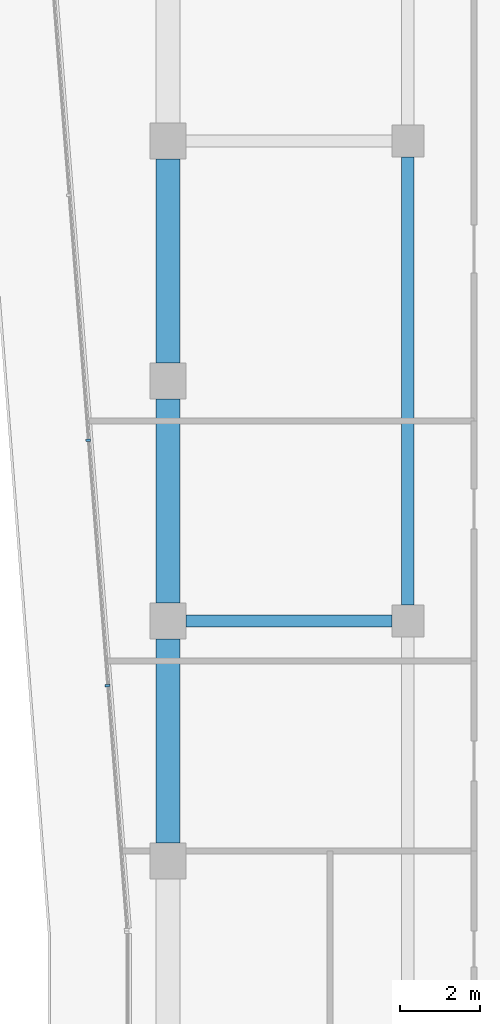
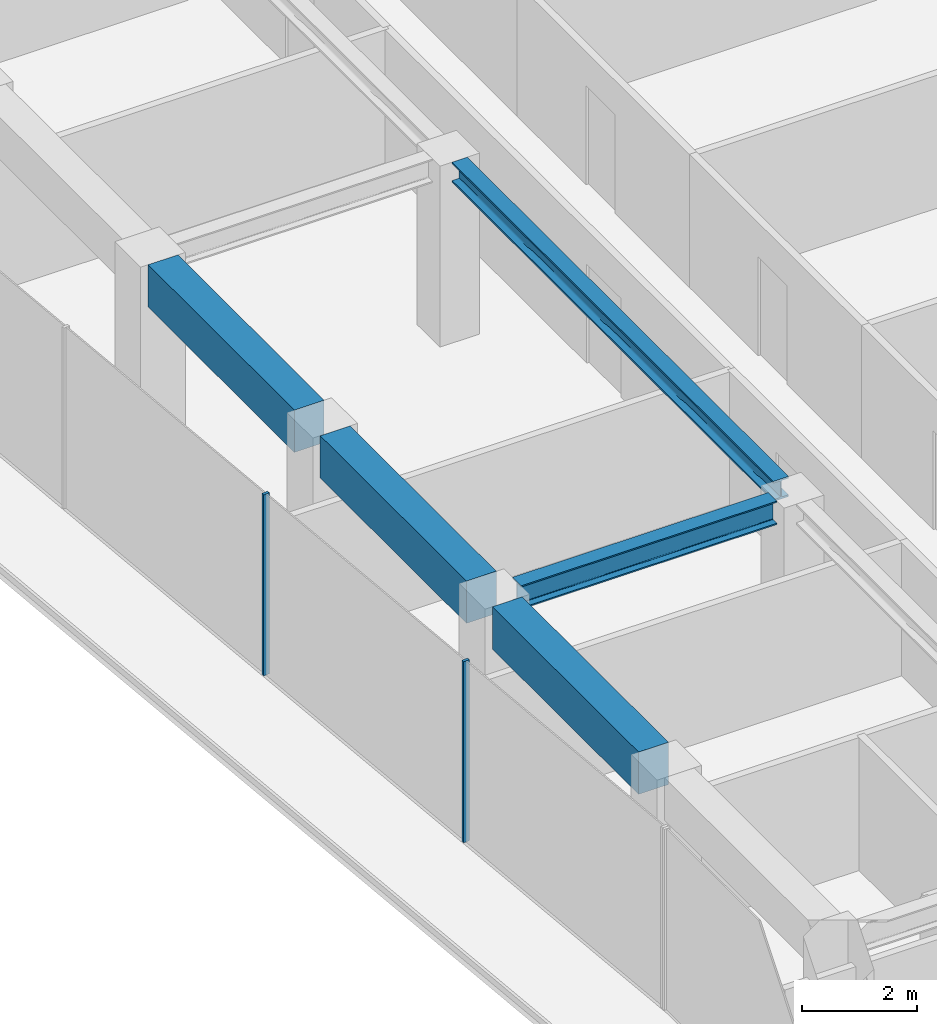
# One storey, part 10 of 25: 5 beams, 2 members, 1 element without a shape of its own.
"""IFC4 building model written with IfcOpenShell, lengths in metres."""

from ifc_helpers import new_model, si_unit, direction, frame, origin, origin_2d, place, context, subcontext, project, spatial, rectangle, i_section, extrude, material, layer, layer_set, material_profile, profile_set, type_object, element, aggregate, save


model = new_model("IFC4")

# Units and contexts
model_context = context("Model", 3, precision=1e-05, world=origin(), true_north=direction((0.0, 1.0)))
body_context = subcontext(model_context, "Body", "Model", "MODEL_VIEW")
ifc_project = project(units=[si_unit("LENGTHUNIT", "METRE"), si_unit("AREAUNIT", "SQUARE_METRE"), si_unit("VOLUMEUNIT", "CUBIC_METRE"), si_unit("PLANEANGLEUNIT", "RADIAN"), si_unit("MASSUNIT", "GRAM", prefix="KILO")], contexts=[model_context])

# Site, building, storey
site_placement = place(None, origin())
site = spatial("IfcSite", under=ifc_project, at=site_placement, CompositionType="ELEMENT")
building_placement = place(site_placement, origin())
building = spatial("IfcBuilding", under=site, at=building_placement, Name="Welwitschia Terrace Campus", CompositionType="ELEMENT")
storey_placement = place(building_placement, frame((0.0, 0.0, 92.0)))
storey = spatial("IfcBuildingStorey", under=building, at=storey_placement, Name="L20", CompositionType="ELEMENT", Elevation=92.0)

# Beam
ifc_material_1 = material(Name="Steel S355", Category="steel")
ifc_material_profile_1 = material_profile(ifc_material_1, i_section(OverallWidth=0.306884765625, OverallDepth=0.431884765625, WebThickness=0.02099609375, FlangeThickness=0.0400390625, FilletRadius=0.027099609375, at=origin_2d()))
ifc_profile_set_1 = profile_set([ifc_material_profile_1], Name="Steel S355")
beam_type_1 = type_object("IfcBeamType", Name="Interior girder HE 400 M", PredefinedType="BEAM", material=ifc_profile_set_1)
beam_1_placement = place(storey_placement, frame((6.0, 40.400390625, 3.634033203125), z_axis=(0.0, 1.0, 0.0), x_axis=(-1.0, 0.0, 0.0)))
element("IfcBeam", 1, at=beam_1_placement, inside=storey, type_object=beam_type_1, Name="Girder GB3", PredefinedType="BEAM", context=body_context, shape_type="SweptSolid", body=[
    extrude(i_section(OverallWidth=0.306884765625, OverallDepth=0.431884765625, WebThickness=0.02099609375, FlangeThickness=0.0400390625, FilletRadius=0.027099609375, at=origin_2d()), origin(), (0.0, 0.0, 1.0), 11.19921875),
])

# Curtain wall, members
ifc_material_2 = material(Name="Bronze anodised aluminium", Category="aluminium")
ifc_layer = layer(ifc_material_2, 0.1201171875)
ifc_layer_set = layer_set([ifc_layer], Name="Bronze anodised aluminium")
curtain_wall_type = type_object("IfcCurtainWallType", Name="Curtain wall CW2 tower 6000", PredefinedType="NOTDEFINED", material=ifc_layer_set)
curtain_wall_placement = place(storey_placement, origin())
curtain_wall = element("IfcCurtainWall", 2, at=curtain_wall_placement, inside=storey, type_object=curtain_wall_type, Name="CW L20.0.0", PredefinedType="NOTDEFINED")
ifc_material_3 = material(Name="Bronze anodised aluminium", Category="aluminium")
ifc_material_profile_2 = material_profile(ifc_material_3, rectangle(XDim=0.1201171875, YDim=0.06005859375, at=origin_2d()))
ifc_profile_set_2 = profile_set([ifc_material_profile_2], Name="Bronze anodised aluminium")
member_type = type_object("IfcMemberType", Name="Mullion 60x120", PredefinedType="MULLION", material=ifc_profile_set_2)
member_1_placement = place(storey_placement, frame((-1.99560546875, 44.516845703125, 0.0), z_axis=(0.0, 0.0, 1.0), x_axis=(0.996917333733, 0.078459095728, 0.0)))
member_1 = element("IfcMember", 3, at=member_1_placement, type_object=member_type, Name="Mullion L20.0.0.4", PredefinedType="MULLION", context=body_context, shape_type="SweptSolid", body=[
    extrude(rectangle(XDim=0.1201171875, YDim=0.06005859375, at=origin_2d()), origin(), (0.0, 0.0, 1.0), 3.85009765625),
])
member_2_placement = place(storey_placement, frame((-1.5126953125, 38.3828125, 0.0), z_axis=(0.0, 0.0, 1.0), x_axis=(0.996917333733, 0.078459095728, 0.0)))
member_2 = element("IfcMember", 4, at=member_2_placement, type_object=member_type, Name="Mullion L20.0.0.5", PredefinedType="MULLION", context=body_context, shape_type="SweptSolid", body=[
    extrude(rectangle(XDim=0.1201171875, YDim=0.06005859375, at=origin_2d()), origin(), (0.0, 0.0, 1.0), 3.85009765625),
])
aggregate(curtain_wall, [member_1, member_2])

# Beams
ifc_material_4 = material(Name="Steel S355", Category="steel")
ifc_material_profile_3 = material_profile(ifc_material_4, i_section(OverallWidth=0.300048828125, OverallDepth=0.5, WebThickness=0.014404296875, FlangeThickness=0.028076171875, FilletRadius=0.027099609375, at=origin_2d()))
ifc_profile_set_3 = profile_set([ifc_material_profile_3], Name="Steel S355")
beam_type_2 = type_object("IfcBeamType", Name="Primary beam HE 500 B", PredefinedType="BEAM", material=ifc_profile_set_3)
beam_2_placement = place(storey_placement, frame((0.450439453125, 40.0, 3.60009765625), z_axis=(1.0, 0.0, 0.0), x_axis=(0.0, 1.0, 0.0)))
element("IfcBeam", 5, at=beam_2_placement, inside=storey, type_object=beam_type_2, Name="Primary beam PB3", PredefinedType="BEAM", context=body_context, shape_type="SweptSolid", body=[
    extrude(i_section(OverallWidth=0.300048828125, OverallDepth=0.5, WebThickness=0.014404296875, FlangeThickness=0.028076171875, FilletRadius=0.027099609375, at=origin_2d()), origin(), (0.0, 0.0, 1.0), 5.149169921875),
])
ifc_material_5 = material(Name="Concrete C60/75", Category="concrete")
ifc_material_profile_4 = material_profile(ifc_material_5, rectangle(XDim=0.60009765625, YDim=0.89990234375, at=origin_2d()))
ifc_profile_set_4 = profile_set([ifc_material_profile_4], Name="Concrete C60/75")
beam_type_3 = type_object("IfcBeamType", Name="Ring spandrel 600x900", PredefinedType="SPANDREL", material=ifc_profile_set_4)
for number, where, z_axis, x_axis, name in (
    (6, (0.0, 51.549560546875, 3.39990234375), (0.0, -1.0, 0.0), (1.0, 0.0, 0.0), "Spandrel SP2"),
    (7, (0.0, 45.549560546875, 3.39990234375), (0.0, -1.0, 0.0), (1.0, 0.0, 0.0), "Spandrel SP2"),
    (8, (0.0, 39.549560546875, 3.39990234375), (0.0, -1.0, 0.0), (1.0, 0.0, 0.0), "Spandrel SP2"),
):
    element("IfcBeam", number, at=place(storey_placement, frame(where, z_axis=z_axis, x_axis=x_axis)), inside=storey, type_object=beam_type_3, Name=name, PredefinedType="SPANDREL", context=body_context, shape_type="SweptSolid", body=[
        extrude(rectangle(XDim=0.60009765625, YDim=0.89990234375, at=origin_2d()), origin(), (0.0, 0.0, 1.0), 5.09912109375),
    ])

save(model, "model.ifc")
